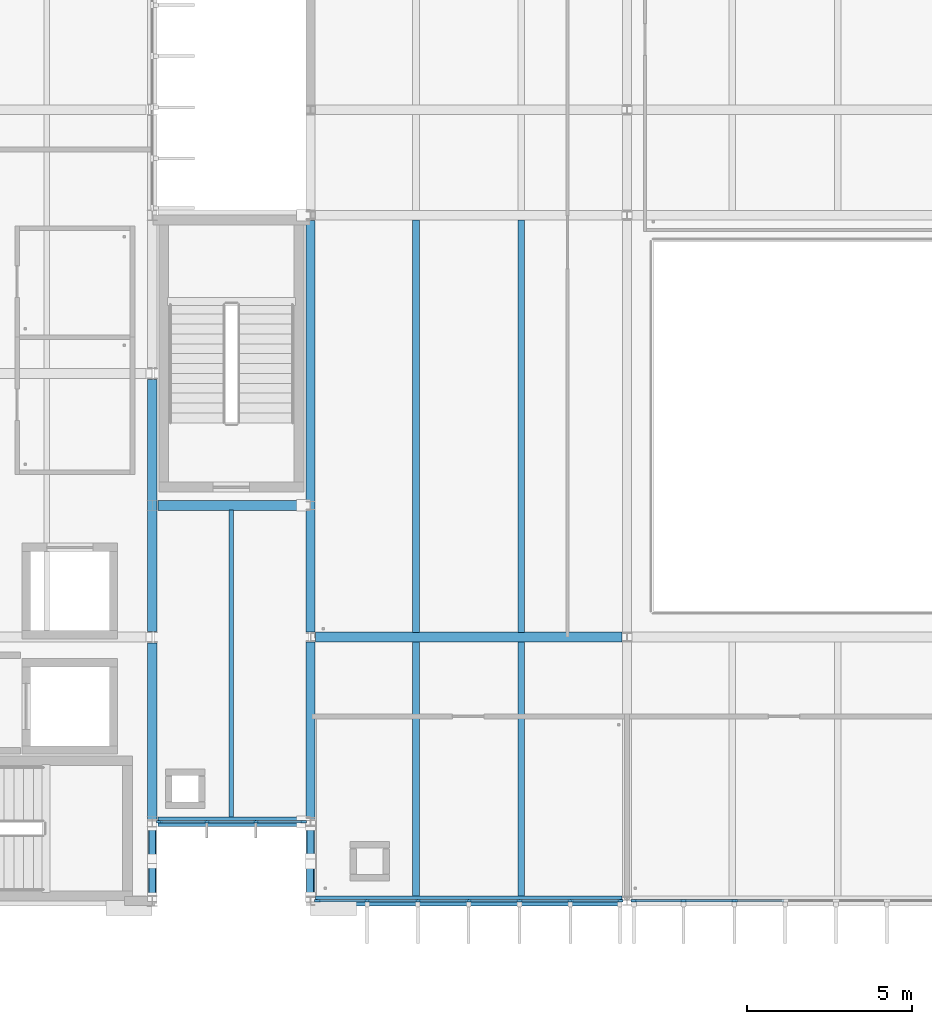
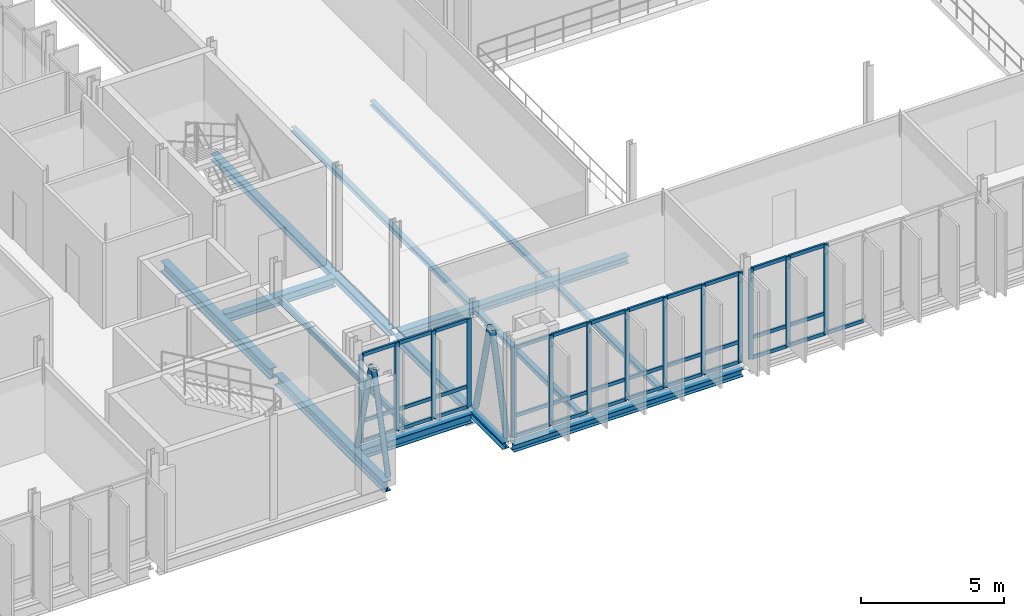
# One storey, part 20 of 93: 52 members, 13 beams, 3 elements without a shape of their own.
"""IFC4 building model written with IfcOpenShell, lengths in metres."""

import ifcopenshell
import ifcopenshell.guid

model = None  # the IFC model being written
_history = None  # IfcOwnerHistory: only IFC2X3 demands one
_inside = {}  # id of a spatial element -> (the spatial element, [elements in it])
_under = {}  # id of a project, library or spatial element -> (it, [spatial elements below it])
_declared = {}  # id of a project -> (the project, [libraries it declares])
_typed = {}  # id of a type object -> (the type object, [elements of that type])
_made_of = {}  # id of a material, layer set ... -> (it, [elements and type objects made of it])


def new_model(schema):
    """Start an empty IFC model of exactly this schema.

    Asked for "IFC4X3", IfcOpenShell would pick the latest addendum, in which some entities
    have other attributes; the version numbers below select the first issue.
    IFC2X3 requires an IfcOwnerHistory on every rooted entity: one is made here for all.
    """
    global model, _history
    if schema == "IFC4X3":
        model = ifcopenshell.file(schema_version=(4, 3, 0, 0))
    else:
        model = ifcopenshell.file(schema=schema)
    _inside.clear()
    _under.clear()
    _declared.clear()
    _typed.clear()
    _made_of.clear()
    _history = None
    if model.schema == "IFC2X3":
        org = make("IfcOrganization", Name="unknown")
        user = make(
            "IfcPersonAndOrganization",
            ThePerson=make("IfcPerson", FamilyName="unknown"),
            TheOrganization=org,
        )
        app = make(
            "IfcApplication",
            ApplicationDeveloper=org,
            Version="unknown",
            ApplicationFullName="unknown",
            ApplicationIdentifier="unknown",
        )
        _history = make(
            "IfcOwnerHistory",
            OwningUser=user,
            OwningApplication=app,
            ChangeAction="ADDED",
            CreationDate=0,
        )
    return model


def make(cls, **values):
    """One entity of the class cls with the attributes given. An attribute that is None is left unset."""
    return model.create_entity(
        cls, **{name: value for name, value in values.items() if value is not None}
    )


def rooted(cls, **values):
    """An entity with a GlobalId (a new one), such as an element, a storey or a relation."""
    return make(cls, GlobalId=ifcopenshell.guid.new(), OwnerHistory=_history, **values)


def si_unit(unit_type, name, prefix=None):
    """IfcSIUnit, for example si_unit("LENGTHUNIT", "METRE", prefix="MILLI")."""
    return make("IfcSIUnit", UnitType=unit_type, Prefix=prefix, Name=name)


def assignment(units):
    """IfcUnitAssignment: the units of a project."""
    return None if units is None else make("IfcUnitAssignment", Units=units)


def point(xyz):
    """IfcCartesianPoint."""
    return None if xyz is None else make("IfcCartesianPoint", Coordinates=xyz)


def direction(xyz):
    """IfcDirection."""
    return None if xyz is None else make("IfcDirection", DirectionRatios=xyz)


def frame(location, z_axis=None, x_axis=None):
    """IfcAxis2Placement3D, a coordinate frame: its origin and axes. An axis left out is left unset."""
    return make(
        "IfcAxis2Placement3D",
        Location=point(location),
        Axis=direction(z_axis),
        RefDirection=direction(x_axis),
    )


def frame_2d(location, x_axis=None):
    """IfcAxis2Placement2D, a coordinate frame in the plane: its origin and x axis."""
    return make(
        "IfcAxis2Placement2D", Location=point(location), RefDirection=direction(x_axis)
    )


def origin():
    """The frame at (0, 0, 0) with its axes left unset."""
    return frame((0.0, 0.0, 0.0))


def origin_2d():
    """The frame at (0, 0) in the plane with its x axis left unset."""
    return frame_2d((0.0, 0.0))


def place(relative_to, where):
    """IfcLocalPlacement: puts the frame where relative to a parent placement (None: the world)."""
    return make(
        "IfcLocalPlacement", PlacementRelTo=relative_to, RelativePlacement=where
    )


def context(
    kind, dimensions, precision=None, world=None, true_north=None, identifier=None
):
    """IfcGeometricRepresentationContext, for example the 3D "Model" context."""
    return make(
        "IfcGeometricRepresentationContext",
        ContextIdentifier=identifier,
        ContextType=kind,
        CoordinateSpaceDimension=dimensions,
        Precision=precision,
        WorldCoordinateSystem=world,
        TrueNorth=true_north,
    )


def subcontext(parent, identifier, kind, view, scale=None):
    """IfcGeometricRepresentationSubContext, for example "Body" below "Model"."""
    return make(
        "IfcGeometricRepresentationSubContext",
        ContextIdentifier=identifier,
        ContextType=kind,
        ParentContext=parent,
        TargetScale=scale,
        TargetView=view,
    )


def project(units=None, contexts=None):
    """IfcProject with its units and contexts."""
    return rooted(
        "IfcProject",
        Name="project",
        RepresentationContexts=contexts,
        UnitsInContext=assignment(units),
    )


def spatial(cls, under=None, at=None, **own):
    """A site, building, storey or space (cls), placed at a placement, below another one or the project."""
    s = rooted(cls, ObjectPlacement=at, **own)
    if under is not None:
        _under.setdefault(under.id(), (under, []))[1].append(s)
    return s


def profile(cls, at=None, kind="AREA", **sizes):
    """A parametric profile (cls). Its sizes go by their IFC names, for example OverallWidth=200.0."""
    return make(cls, ProfileType=kind, Position=at, **sizes)


def rectangle(**sizes):
    """IfcRectangleProfileDef."""
    return profile("IfcRectangleProfileDef", **sizes)


def hollow_circle(**sizes):
    """IfcCircleHollowProfileDef."""
    return profile("IfcCircleHollowProfileDef", **sizes)


def i_section(**sizes):
    """IfcIShapeProfileDef."""
    return profile("IfcIShapeProfileDef", **sizes)


def extrude(swept, where, along, depth):
    """IfcExtrudedAreaSolid: the profile swept, set in the frame where, extruded along a direction by depth."""
    return make(
        "IfcExtrudedAreaSolid",
        SweptArea=swept,
        Position=where,
        ExtrudedDirection=direction(along),
        Depth=depth,
    )


def shape(context_of_items, identifier, shape_type, items):
    """IfcShapeRepresentation: the items that make up one representation, for example the "Body"."""
    return make(
        "IfcShapeRepresentation",
        ContextOfItems=context_of_items,
        RepresentationIdentifier=identifier,
        RepresentationType=shape_type,
        Items=items,
    )


def material(Name=None, Category=None):
    """IfcMaterial."""
    return make("IfcMaterial", Name=Name, Category=Category)


def material_profile(
    of_material, cross_section, Name=None, Category=None, Priority=None
):
    """IfcMaterialProfile: a cross section and its material."""
    return make(
        "IfcMaterialProfile",
        Name=Name,
        Material=of_material,
        Profile=cross_section,
        Priority=Priority,
        Category=Category,
    )


def profile_set(profiles, Name=None, composite=None):
    """IfcMaterialProfileSet."""
    return make(
        "IfcMaterialProfileSet",
        Name=Name,
        MaterialProfiles=profiles,
        CompositeProfile=composite,
    )


def made_of(thing, what):
    """Note that an element or type object is made of a material, layer set ...; save() writes the relation."""
    if what is not None:
        _made_of.setdefault(what.id(), (what, []))[1].append(thing)
    return thing


def type_object(cls, material=None, **own):
    """A type object (cls), such as IfcWallType, which elements share."""
    return made_of(rooted(cls, **own), material)


def element(
    cls,
    number,
    at=None,
    inside=None,
    cuts=None,
    type_object=None,
    material=None,
    context=None,
    identifier="Body",
    shape_type=None,
    held_by="IfcProductDefinitionShape",
    body=None,
    shapes=None,
    **own,
):
    """One element of the class cls, such as IfcWall. Its Tag is "e" and its number.

    at: its placement. inside: the storey or other place that contains it. cuts: it is an
    opening in that element (IfcRelVoidsElement). A single representation is given by context,
    identifier, shape_type and body (its items); several are given by shapes. held_by: the class
    of the entity that holds the representations. save() writes the other relations.
    """
    e = rooted(cls, Tag="e%d" % number, ObjectPlacement=at, **own)
    if body is not None:
        shapes = [shape(context, identifier, shape_type, body)]
    if shapes is not None:
        e.Representation = make(held_by, Representations=shapes)
    if inside is not None:
        _inside.setdefault(inside.id(), (inside, []))[1].append(e)
    if cuts is not None:
        rooted(
            "IfcRelVoidsElement", RelatingBuildingElement=cuts, RelatedOpeningElement=e
        )
    if type_object is not None:
        _typed.setdefault(type_object.id(), (type_object, []))[1].append(e)
    return made_of(e, material)


def aggregate(whole, parts):
    """IfcRelAggregates: a whole, such as a stair, and the parts it consists of."""
    return rooted("IfcRelAggregates", RelatingObject=whole, RelatedObjects=parts)


def save(model, path):
    """Write the relations noted so far, then the file.

    IfcRelAggregates (storeys below a building ...), IfcRelContainedInSpatialStructure (elements
    in a storey), IfcRelDefinesByType, IfcRelAssociatesMaterial and IfcRelDeclares: one each for
    every whole, place, type object, material and project.
    """
    for whole, parts in _under.values():
        aggregate(whole, parts)
    for where, things in _inside.values():
        rooted(
            "IfcRelContainedInSpatialStructure",
            RelatedElements=things,
            RelatingStructure=where,
        )
    for kind, things in _typed.values():
        rooted("IfcRelDefinesByType", RelatedObjects=things, RelatingType=kind)
    for what, things in _made_of.values():
        rooted("IfcRelAssociatesMaterial", RelatedObjects=things, RelatingMaterial=what)
    for by, libraries in _declared.values():
        rooted("IfcRelDeclares", RelatingContext=by, RelatedDefinitions=libraries)
    model.write(path)


model = new_model("IFC4")

# Units and contexts
model_context = context("Model", 3, precision=1e-05, world=origin(), true_north=direction((0.0, 1.0)))
body_context = subcontext(model_context, "Body", "Model", "MODEL_VIEW")
ifc_project = project(units=[si_unit("LENGTHUNIT", "METRE"), si_unit("AREAUNIT", "SQUARE_METRE"), si_unit("VOLUMEUNIT", "CUBIC_METRE"), si_unit("PLANEANGLEUNIT", "RADIAN"), si_unit("MASSUNIT", "GRAM", prefix="KILO")], contexts=[model_context])

# Site, building, storey
site_placement = place(None, origin())
site = spatial("IfcSite", under=ifc_project, at=site_placement, CompositionType="ELEMENT")
building_placement = place(site_placement, origin())
building = spatial("IfcBuilding", under=site, at=building_placement, Name="Dunescarp Central Library", CompositionType="ELEMENT")
storey_placement = place(building_placement, frame((0.0, 0.0, 14.10009765625)))
storey = spatial("IfcBuildingStorey", under=building, at=storey_placement, Name="L03", CompositionType="ELEMENT", Elevation=14.10009765625)

# Curtain wall, members
ifc_material_1 = material(Name="Marine-grade anodised aluminium 6063-T6", Category="aluminium")
curtain_wall_type_1 = type_object("IfcCurtainWallType", Name="ARC-CW-STICK", PredefinedType="NOTDEFINED", material=ifc_material_1)
curtain_wall_1_placement = place(storey_placement, origin())
curtain_wall_1 = element("IfcCurtainWall", 1, at=curtain_wall_1_placement, inside=storey, type_object=curtain_wall_type_1, Name="L03 curtain wall CW-V2-061", PredefinedType="NOTDEFINED")
ifc_material_profile_1 = material_profile(ifc_material_1, rectangle(XDim=0.080078125, YDim=0.179931640625, at=origin_2d()), Name="AL 80x180")
ifc_profile_set_1 = profile_set([ifc_material_profile_1], Name="Marine-grade anodised aluminium 6063-T6")
member_type_1 = type_object("IfcMemberType", Name="ARC-CWM-180", PredefinedType="MULLION", material=ifc_profile_set_1)
member_1_placement = place(storey_placement, frame((47.784912109375, 4.800048828125, 0.0), z_axis=(0.0, 0.0, 1.0), x_axis=(0.0, -1.0, 0.0)))
member_1 = element("IfcMember", 2, at=member_1_placement, type_object=member_type_1, Name="CW-V2-061 mullion 1", PredefinedType="MULLION", context=body_context, shape_type="SweptSolid", body=[
    extrude(rectangle(XDim=0.080078125, YDim=0.179931640625, at=origin_2d()), origin(), (0.0, 0.0, 1.0), 3.86181640625),
])
member_2_placement = place(storey_placement, frame((46.283447265625, 4.800048828125, 0.0), z_axis=(0.0, 0.0, 1.0), x_axis=(0.0, -1.0, 0.0)))
member_2 = element("IfcMember", 3, at=member_2_placement, type_object=member_type_1, Name="CW-V2-061 mullion 2", PredefinedType="MULLION", context=body_context, shape_type="SweptSolid", body=[
    extrude(rectangle(XDim=0.080078125, YDim=0.179931640625, at=origin_2d()), origin(), (0.0, 0.0, 1.0), 3.86181640625),
])
member_3_placement = place(storey_placement, frame((44.74169921875, 4.800048828125, 0.0), z_axis=(0.0, 0.0, 1.0), x_axis=(0.0, -1.0, 0.0)))
member_3 = element("IfcMember", 4, at=member_3_placement, type_object=member_type_1, Name="CW-V2-061 mullion 3", PredefinedType="MULLION", context=body_context, shape_type="SweptSolid", body=[
    extrude(rectangle(XDim=0.080078125, YDim=0.179931640625, at=origin_2d()), origin(), (0.0, 0.0, 1.0), 3.86181640625),
])
member_4_placement = place(storey_placement, frame((43.199951171875, 4.800048828125, 0.0), z_axis=(0.0, 0.0, 1.0), x_axis=(0.0, -1.0, 0.0)))
member_4 = element("IfcMember", 5, at=member_4_placement, type_object=member_type_1, Name="CW-V2-061 mullion 4", PredefinedType="MULLION", context=body_context, shape_type="SweptSolid", body=[
    extrude(rectangle(XDim=0.080078125, YDim=0.179931640625, at=origin_2d()), origin(), (0.0, 0.0, 1.0), 3.86181640625),
])
member_5_placement = place(storey_placement, frame((41.658447265625, 4.800048828125, 0.0), z_axis=(0.0, 0.0, 1.0), x_axis=(0.0, -1.0, 0.0)))
member_5 = element("IfcMember", 6, at=member_5_placement, type_object=member_type_1, Name="CW-V2-061 mullion 5", PredefinedType="MULLION", context=body_context, shape_type="SweptSolid", body=[
    extrude(rectangle(XDim=0.080078125, YDim=0.179931640625, at=origin_2d()), origin(), (0.0, 0.0, 1.0), 3.86181640625),
])
member_6_placement = place(storey_placement, frame((40.11669921875, 4.800048828125, 0.0), z_axis=(0.0, 0.0, 1.0), x_axis=(0.0, -1.0, 0.0)))
member_6 = element("IfcMember", 7, at=member_6_placement, type_object=member_type_1, Name="CW-V2-061 mullion 6", PredefinedType="MULLION", context=body_context, shape_type="SweptSolid", body=[
    extrude(rectangle(XDim=0.080078125, YDim=0.179931640625, at=origin_2d()), origin(), (0.0, 0.0, 1.0), 3.86181640625),
])
member_7_placement = place(storey_placement, frame((38.614990234375, 4.800048828125, 0.0), z_axis=(0.0, 0.0, 1.0), x_axis=(0.0, -1.0, 0.0)))
member_7 = element("IfcMember", 8, at=member_7_placement, type_object=member_type_1, Name="CW-V2-061 mullion 7", PredefinedType="MULLION", context=body_context, shape_type="SweptSolid", body=[
    extrude(rectangle(XDim=0.080078125, YDim=0.179931640625, at=origin_2d()), origin(), (0.0, 0.0, 1.0), 3.86181640625),
])

curtain_wall_2_placement = place(storey_placement, origin())
curtain_wall_2 = element("IfcCurtainWall", 9, at=curtain_wall_2_placement, inside=storey, type_object=curtain_wall_type_1, Name="L03 curtain wall CW-V2-062", PredefinedType="NOTDEFINED")
member_8_placement = place(storey_placement, frame((51.25830078125, 4.800048828125, 0.0), z_axis=(0.0, 0.0, 1.0), x_axis=(0.0, -1.0, 0.0)))
member_8 = element("IfcMember", 10, at=member_8_placement, type_object=member_type_1, Name="CW-V2-062 mullion 5", PredefinedType="MULLION", context=body_context, shape_type="SweptSolid", body=[
    extrude(rectangle(XDim=0.080078125, YDim=0.179931640625, at=origin_2d()), origin(), (0.0, 0.0, 1.0), 3.86181640625),
])
member_9_placement = place(storey_placement, frame((49.716552734375, 4.800048828125, 0.0), z_axis=(0.0, 0.0, 1.0), x_axis=(0.0, -1.0, 0.0)))
member_9 = element("IfcMember", 11, at=member_9_placement, type_object=member_type_1, Name="CW-V2-062 mullion 6", PredefinedType="MULLION", context=body_context, shape_type="SweptSolid", body=[
    extrude(rectangle(XDim=0.080078125, YDim=0.179931640625, at=origin_2d()), origin(), (0.0, 0.0, 1.0), 3.86181640625),
])
member_10_placement = place(storey_placement, frame((48.215087890625, 4.800048828125, 0.0), z_axis=(0.0, 0.0, 1.0), x_axis=(0.0, -1.0, 0.0)))
member_10 = element("IfcMember", 12, at=member_10_placement, type_object=member_type_1, Name="CW-V2-062 mullion 7", PredefinedType="MULLION", context=body_context, shape_type="SweptSolid", body=[
    extrude(rectangle(XDim=0.080078125, YDim=0.179931640625, at=origin_2d()), origin(), (0.0, 0.0, 1.0), 3.86181640625),
])

curtain_wall_type_2 = type_object("IfcCurtainWallType", Name="ARC-CW-LINK", PredefinedType="USERDEFINED", material=ifc_material_1)
curtain_wall_3_placement = place(storey_placement, origin())
curtain_wall_3 = element("IfcCurtainWall", 13, at=curtain_wall_3_placement, inside=storey, type_object=curtain_wall_type_2, Name="L03 curtain wall CW-GL1-S-L03", ObjectType="GLAZED_LINK_WALL", PredefinedType="USERDEFINED")
member_11_placement = place(storey_placement, frame((38.18505859375, 7.199951171875, 0.0), z_axis=(0.0, 0.0, 1.0), x_axis=(0.0, -1.0, 0.0)))
member_11 = element("IfcMember", 14, at=member_11_placement, type_object=member_type_1, Name="CW-GL1-S-L03 mullion 1", PredefinedType="MULLION", context=body_context, shape_type="SweptSolid", body=[
    extrude(rectangle(XDim=0.080078125, YDim=0.179931640625, at=origin_2d()), origin(), (0.0, 0.0, 1.0), 3.77490234375),
])
member_12_placement = place(storey_placement, frame((36.74169921875, 7.199951171875, 0.0), z_axis=(0.0, 0.0, 1.0), x_axis=(0.0, -1.0, 0.0)))
member_12 = element("IfcMember", 15, at=member_12_placement, type_object=member_type_1, Name="CW-GL1-S-L03 mullion 2", PredefinedType="MULLION", context=body_context, shape_type="SweptSolid", body=[
    extrude(rectangle(XDim=0.080078125, YDim=0.179931640625, at=origin_2d()), origin(), (0.0, 0.0, 1.0), 3.77490234375),
])
member_13_placement = place(storey_placement, frame((35.25830078125, 7.199951171875, 0.0), z_axis=(0.0, 0.0, 1.0), x_axis=(0.0, -1.0, 0.0)))
member_13 = element("IfcMember", 16, at=member_13_placement, type_object=member_type_1, Name="CW-GL1-S-L03 mullion 3", PredefinedType="MULLION", context=body_context, shape_type="SweptSolid", body=[
    extrude(rectangle(XDim=0.080078125, YDim=0.179931640625, at=origin_2d()), origin(), (0.0, 0.0, 1.0), 3.77490234375),
])
member_14_placement = place(storey_placement, frame((33.81494140625, 7.199951171875, 0.0), z_axis=(0.0, 0.0, 1.0), x_axis=(0.0, -1.0, 0.0)))
member_14 = element("IfcMember", 17, at=member_14_placement, type_object=member_type_1, Name="CW-GL1-S-L03 mullion 4", PredefinedType="MULLION", context=body_context, shape_type="SweptSolid", body=[
    extrude(rectangle(XDim=0.080078125, YDim=0.179931640625, at=origin_2d()), origin(), (0.0, 0.0, 1.0), 3.77490234375),
])

# Member
ifc_material_profile_2 = material_profile(ifc_material_1, rectangle(XDim=0.080078125, YDim=0.14990234375, at=origin_2d()), Name="AL 80x150")
ifc_profile_set_2 = profile_set([ifc_material_profile_2], Name="Marine-grade anodised aluminium 6063-T6")
member_type_2 = type_object("IfcMemberType", Name="ARC-CWT-150", PredefinedType="USERDEFINED", material=ifc_profile_set_2)
member_15_placement = place(storey_placement, frame((47.7451171875, 4.800048828125, 0.039794921875), z_axis=(-1.0, 0.0, 0.0), x_axis=(0.0, -1.0, 0.0)))
member_15 = element("IfcMember", 18, at=member_15_placement, type_object=member_type_2, Name="CW-V2-061 transom 1.1", ObjectType="TRANSOM", PredefinedType="USERDEFINED", context=body_context, shape_type="SweptSolid", body=[
    extrude(rectangle(XDim=0.080078125, YDim=0.14990234375, at=origin_2d()), origin(), (0.0, 0.0, 1.0), 1.421875),
])

member_16_placement = place(storey_placement, frame((47.7451171875, 4.800048828125, 0.89990234375), z_axis=(-1.0, 0.0, 0.0), x_axis=(0.0, -1.0, 0.0)))
member_16 = element("IfcMember", 19, at=member_16_placement, type_object=member_type_2, Name="CW-V2-061 transom 1.2", ObjectType="TRANSOM", PredefinedType="USERDEFINED", context=body_context, shape_type="SweptSolid", body=[
    extrude(rectangle(XDim=0.080078125, YDim=0.14990234375, at=origin_2d()), origin(), (0.0, 0.0, 1.0), 1.421875),
])

member_17_placement = place(storey_placement, frame((47.7451171875, 4.800048828125, 3.822021484375), z_axis=(-1.0, 0.0, 0.0), x_axis=(0.0, -1.0, 0.0)))
member_17 = element("IfcMember", 20, at=member_17_placement, type_object=member_type_2, Name="CW-V2-061 transom 1.3", ObjectType="TRANSOM", PredefinedType="USERDEFINED", context=body_context, shape_type="SweptSolid", body=[
    extrude(rectangle(XDim=0.080078125, YDim=0.14990234375, at=origin_2d()), origin(), (0.0, 0.0, 1.0), 1.421875),
])

member_18_placement = place(storey_placement, frame((46.243408203125, 4.800048828125, 0.039794921875), z_axis=(-1.0, 0.0, 0.0), x_axis=(0.0, -1.0, 0.0)))
member_18 = element("IfcMember", 21, at=member_18_placement, type_object=member_type_2, Name="CW-V2-061 transom 2.1", ObjectType="TRANSOM", PredefinedType="USERDEFINED", context=body_context, shape_type="SweptSolid", body=[
    extrude(rectangle(XDim=0.080078125, YDim=0.14990234375, at=origin_2d()), origin(), (0.0, 0.0, 1.0), 1.461669921875),
])

member_19_placement = place(storey_placement, frame((46.243408203125, 4.800048828125, 0.89990234375), z_axis=(-1.0, 0.0, 0.0), x_axis=(0.0, -1.0, 0.0)))
member_19 = element("IfcMember", 22, at=member_19_placement, type_object=member_type_2, Name="CW-V2-061 transom 2.2", ObjectType="TRANSOM", PredefinedType="USERDEFINED", context=body_context, shape_type="SweptSolid", body=[
    extrude(rectangle(XDim=0.080078125, YDim=0.14990234375, at=origin_2d()), origin(), (0.0, 0.0, 1.0), 1.461669921875),
])

member_20_placement = place(storey_placement, frame((46.243408203125, 4.800048828125, 3.822021484375), z_axis=(-1.0, 0.0, 0.0), x_axis=(0.0, -1.0, 0.0)))
member_20 = element("IfcMember", 23, at=member_20_placement, type_object=member_type_2, Name="CW-V2-061 transom 2.3", ObjectType="TRANSOM", PredefinedType="USERDEFINED", context=body_context, shape_type="SweptSolid", body=[
    extrude(rectangle(XDim=0.080078125, YDim=0.14990234375, at=origin_2d()), origin(), (0.0, 0.0, 1.0), 1.461669921875),
])

member_21_placement = place(storey_placement, frame((44.70166015625, 4.800048828125, 0.039794921875), z_axis=(-1.0, 0.0, 0.0), x_axis=(0.0, -1.0, 0.0)))
member_21 = element("IfcMember", 24, at=member_21_placement, type_object=member_type_2, Name="CW-V2-061 transom 3.1", ObjectType="TRANSOM", PredefinedType="USERDEFINED", context=body_context, shape_type="SweptSolid", body=[
    extrude(rectangle(XDim=0.080078125, YDim=0.14990234375, at=origin_2d()), origin(), (0.0, 0.0, 1.0), 1.461669921875),
])

member_22_placement = place(storey_placement, frame((44.70166015625, 4.800048828125, 0.89990234375), z_axis=(-1.0, 0.0, 0.0), x_axis=(0.0, -1.0, 0.0)))
member_22 = element("IfcMember", 25, at=member_22_placement, type_object=member_type_2, Name="CW-V2-061 transom 3.2", ObjectType="TRANSOM", PredefinedType="USERDEFINED", context=body_context, shape_type="SweptSolid", body=[
    extrude(rectangle(XDim=0.080078125, YDim=0.14990234375, at=origin_2d()), origin(), (0.0, 0.0, 1.0), 1.461669921875),
])

member_23_placement = place(storey_placement, frame((44.70166015625, 4.800048828125, 3.822021484375), z_axis=(-1.0, 0.0, 0.0), x_axis=(0.0, -1.0, 0.0)))
member_23 = element("IfcMember", 26, at=member_23_placement, type_object=member_type_2, Name="CW-V2-061 transom 3.3", ObjectType="TRANSOM", PredefinedType="USERDEFINED", context=body_context, shape_type="SweptSolid", body=[
    extrude(rectangle(XDim=0.080078125, YDim=0.14990234375, at=origin_2d()), origin(), (0.0, 0.0, 1.0), 1.461669921875),
])

member_24_placement = place(storey_placement, frame((43.159912109375, 4.800048828125, 0.039794921875), z_axis=(-1.0, 0.0, 0.0), x_axis=(0.0, -1.0, 0.0)))
member_24 = element("IfcMember", 27, at=member_24_placement, type_object=member_type_2, Name="CW-V2-061 transom 4.1", ObjectType="TRANSOM", PredefinedType="USERDEFINED", context=body_context, shape_type="SweptSolid", body=[
    extrude(rectangle(XDim=0.080078125, YDim=0.14990234375, at=origin_2d()), origin(), (0.0, 0.0, 1.0), 1.461669921875),
])

member_25_placement = place(storey_placement, frame((43.159912109375, 4.800048828125, 0.89990234375), z_axis=(-1.0, 0.0, 0.0), x_axis=(0.0, -1.0, 0.0)))
member_25 = element("IfcMember", 28, at=member_25_placement, type_object=member_type_2, Name="CW-V2-061 transom 4.2", ObjectType="TRANSOM", PredefinedType="USERDEFINED", context=body_context, shape_type="SweptSolid", body=[
    extrude(rectangle(XDim=0.080078125, YDim=0.14990234375, at=origin_2d()), origin(), (0.0, 0.0, 1.0), 1.461669921875),
])

member_26_placement = place(storey_placement, frame((43.159912109375, 4.800048828125, 3.822021484375), z_axis=(-1.0, 0.0, 0.0), x_axis=(0.0, -1.0, 0.0)))
member_26 = element("IfcMember", 29, at=member_26_placement, type_object=member_type_2, Name="CW-V2-061 transom 4.3", ObjectType="TRANSOM", PredefinedType="USERDEFINED", context=body_context, shape_type="SweptSolid", body=[
    extrude(rectangle(XDim=0.080078125, YDim=0.14990234375, at=origin_2d()), origin(), (0.0, 0.0, 1.0), 1.461669921875),
])

member_27_placement = place(storey_placement, frame((41.618408203125, 4.800048828125, 0.039794921875), z_axis=(-1.0, 0.0, 0.0), x_axis=(0.0, -1.0, 0.0)))
member_27 = element("IfcMember", 30, at=member_27_placement, type_object=member_type_2, Name="CW-V2-061 transom 5.1", ObjectType="TRANSOM", PredefinedType="USERDEFINED", context=body_context, shape_type="SweptSolid", body=[
    extrude(rectangle(XDim=0.080078125, YDim=0.14990234375, at=origin_2d()), origin(), (0.0, 0.0, 1.0), 1.461669921875),
])

member_28_placement = place(storey_placement, frame((41.618408203125, 4.800048828125, 0.89990234375), z_axis=(-1.0, 0.0, 0.0), x_axis=(0.0, -1.0, 0.0)))
member_28 = element("IfcMember", 31, at=member_28_placement, type_object=member_type_2, Name="CW-V2-061 transom 5.2", ObjectType="TRANSOM", PredefinedType="USERDEFINED", context=body_context, shape_type="SweptSolid", body=[
    extrude(rectangle(XDim=0.080078125, YDim=0.14990234375, at=origin_2d()), origin(), (0.0, 0.0, 1.0), 1.461669921875),
])

member_29_placement = place(storey_placement, frame((41.618408203125, 4.800048828125, 3.822021484375), z_axis=(-1.0, 0.0, 0.0), x_axis=(0.0, -1.0, 0.0)))
member_29 = element("IfcMember", 32, at=member_29_placement, type_object=member_type_2, Name="CW-V2-061 transom 5.3", ObjectType="TRANSOM", PredefinedType="USERDEFINED", context=body_context, shape_type="SweptSolid", body=[
    extrude(rectangle(XDim=0.080078125, YDim=0.14990234375, at=origin_2d()), origin(), (0.0, 0.0, 1.0), 1.461669921875),
])

member_30_placement = place(storey_placement, frame((40.07666015625, 4.800048828125, 0.039794921875), z_axis=(-1.0, 0.0, 0.0), x_axis=(0.0, -1.0, 0.0)))
member_30 = element("IfcMember", 33, at=member_30_placement, type_object=member_type_2, Name="CW-V2-061 transom 6.1", ObjectType="TRANSOM", PredefinedType="USERDEFINED", context=body_context, shape_type="SweptSolid", body=[
    extrude(rectangle(XDim=0.080078125, YDim=0.14990234375, at=origin_2d()), origin(), (0.0, 0.0, 1.0), 1.421630859375),
])

member_31_placement = place(storey_placement, frame((40.07666015625, 4.800048828125, 0.89990234375), z_axis=(-1.0, 0.0, 0.0), x_axis=(0.0, -1.0, 0.0)))
member_31 = element("IfcMember", 34, at=member_31_placement, type_object=member_type_2, Name="CW-V2-061 transom 6.2", ObjectType="TRANSOM", PredefinedType="USERDEFINED", context=body_context, shape_type="SweptSolid", body=[
    extrude(rectangle(XDim=0.080078125, YDim=0.14990234375, at=origin_2d()), origin(), (0.0, 0.0, 1.0), 1.421630859375),
])

member_32_placement = place(storey_placement, frame((40.07666015625, 4.800048828125, 3.822021484375), z_axis=(-1.0, 0.0, 0.0), x_axis=(0.0, -1.0, 0.0)))
member_32 = element("IfcMember", 35, at=member_32_placement, type_object=member_type_2, Name="CW-V2-061 transom 6.3", ObjectType="TRANSOM", PredefinedType="USERDEFINED", context=body_context, shape_type="SweptSolid", body=[
    extrude(rectangle(XDim=0.080078125, YDim=0.14990234375, at=origin_2d()), origin(), (0.0, 0.0, 1.0), 1.421630859375),
])

aggregate(curtain_wall_1, [member_1, member_2, member_3, member_4, member_5, member_6, member_7, member_15, member_16, member_17, member_18, member_19, member_20, member_21, member_22, member_23, member_24, member_25, member_26, member_27, member_28, member_29, member_30, member_31, member_32])

member_33_placement = place(storey_placement, frame((52.760009765625, 4.800048828125, 0.039794921875), z_axis=(-1.0, 0.0, 0.0), x_axis=(0.0, -1.0, 0.0)))
member_33 = element("IfcMember", 36, at=member_33_placement, type_object=member_type_2, Name="CW-V2-062 transom 4.1", ObjectType="TRANSOM", PredefinedType="USERDEFINED", context=body_context, shape_type="SweptSolid", body=[
    extrude(rectangle(XDim=0.080078125, YDim=0.14990234375, at=origin_2d()), origin(), (0.0, 0.0, 1.0), 1.461669921875),
])

member_34_placement = place(storey_placement, frame((51.21826171875, 4.800048828125, 0.039794921875), z_axis=(-1.0, 0.0, 0.0), x_axis=(0.0, -1.0, 0.0)))
member_34 = element("IfcMember", 37, at=member_34_placement, type_object=member_type_2, Name="CW-V2-062 transom 5.1", ObjectType="TRANSOM", PredefinedType="USERDEFINED", context=body_context, shape_type="SweptSolid", body=[
    extrude(rectangle(XDim=0.080078125, YDim=0.14990234375, at=origin_2d()), origin(), (0.0, 0.0, 1.0), 1.461669921875),
])

member_35_placement = place(storey_placement, frame((51.21826171875, 4.800048828125, 0.89990234375), z_axis=(-1.0, 0.0, 0.0), x_axis=(0.0, -1.0, 0.0)))
member_35 = element("IfcMember", 38, at=member_35_placement, type_object=member_type_2, Name="CW-V2-062 transom 5.2", ObjectType="TRANSOM", PredefinedType="USERDEFINED", context=body_context, shape_type="SweptSolid", body=[
    extrude(rectangle(XDim=0.080078125, YDim=0.14990234375, at=origin_2d()), origin(), (0.0, 0.0, 1.0), 1.461669921875),
])

member_36_placement = place(storey_placement, frame((51.21826171875, 4.800048828125, 3.822021484375), z_axis=(-1.0, 0.0, 0.0), x_axis=(0.0, -1.0, 0.0)))
member_36 = element("IfcMember", 39, at=member_36_placement, type_object=member_type_2, Name="CW-V2-062 transom 5.3", ObjectType="TRANSOM", PredefinedType="USERDEFINED", context=body_context, shape_type="SweptSolid", body=[
    extrude(rectangle(XDim=0.080078125, YDim=0.14990234375, at=origin_2d()), origin(), (0.0, 0.0, 1.0), 1.461669921875),
])

member_37_placement = place(storey_placement, frame((49.6767578125, 4.800048828125, 0.039794921875), z_axis=(-1.0, 0.0, 0.0), x_axis=(0.0, -1.0, 0.0)))
member_37 = element("IfcMember", 40, at=member_37_placement, type_object=member_type_2, Name="CW-V2-062 transom 6.1", ObjectType="TRANSOM", PredefinedType="USERDEFINED", context=body_context, shape_type="SweptSolid", body=[
    extrude(rectangle(XDim=0.080078125, YDim=0.14990234375, at=origin_2d()), origin(), (0.0, 0.0, 1.0), 1.421875),
])

member_38_placement = place(storey_placement, frame((49.6767578125, 4.800048828125, 0.89990234375), z_axis=(-1.0, 0.0, 0.0), x_axis=(0.0, -1.0, 0.0)))
member_38 = element("IfcMember", 41, at=member_38_placement, type_object=member_type_2, Name="CW-V2-062 transom 6.2", ObjectType="TRANSOM", PredefinedType="USERDEFINED", context=body_context, shape_type="SweptSolid", body=[
    extrude(rectangle(XDim=0.080078125, YDim=0.14990234375, at=origin_2d()), origin(), (0.0, 0.0, 1.0), 1.421875),
])

member_39_placement = place(storey_placement, frame((49.6767578125, 4.800048828125, 3.822021484375), z_axis=(-1.0, 0.0, 0.0), x_axis=(0.0, -1.0, 0.0)))
member_39 = element("IfcMember", 42, at=member_39_placement, type_object=member_type_2, Name="CW-V2-062 transom 6.3", ObjectType="TRANSOM", PredefinedType="USERDEFINED", context=body_context, shape_type="SweptSolid", body=[
    extrude(rectangle(XDim=0.080078125, YDim=0.14990234375, at=origin_2d()), origin(), (0.0, 0.0, 1.0), 1.421875),
])

aggregate(curtain_wall_2, [member_8, member_9, member_10, member_33, member_34, member_35, member_36, member_37, member_38, member_39])

member_40_placement = place(storey_placement, frame((38.14501953125, 7.199951171875, 0.039794921875), z_axis=(-1.0, 0.0, 0.0), x_axis=(0.0, -1.0, 0.0)))
member_40 = element("IfcMember", 43, at=member_40_placement, type_object=member_type_2, Name="CW-GL1-S-L03 transom 1.1", ObjectType="TRANSOM", PredefinedType="USERDEFINED", context=body_context, shape_type="SweptSolid", body=[
    extrude(rectangle(XDim=0.080078125, YDim=0.14990234375, at=origin_2d()), origin(), (0.0, 0.0, 1.0), 1.36328125),
])

member_41_placement = place(storey_placement, frame((38.14501953125, 7.199951171875, 0.89990234375), z_axis=(-1.0, 0.0, 0.0), x_axis=(0.0, -1.0, 0.0)))
member_41 = element("IfcMember", 44, at=member_41_placement, type_object=member_type_2, Name="CW-GL1-S-L03 transom 1.2", ObjectType="TRANSOM", PredefinedType="USERDEFINED", context=body_context, shape_type="SweptSolid", body=[
    extrude(rectangle(XDim=0.080078125, YDim=0.14990234375, at=origin_2d()), origin(), (0.0, 0.0, 1.0), 1.36328125),
])

member_42_placement = place(storey_placement, frame((38.14501953125, 7.199951171875, 3.73486328125), z_axis=(-1.0, 0.0, 0.0), x_axis=(0.0, -1.0, 0.0)))
member_42 = element("IfcMember", 45, at=member_42_placement, type_object=member_type_2, Name="CW-GL1-S-L03 transom 1.3", ObjectType="TRANSOM", PredefinedType="USERDEFINED", context=body_context, shape_type="SweptSolid", body=[
    extrude(rectangle(XDim=0.080078125, YDim=0.14990234375, at=origin_2d()), origin(), (0.0, 0.0, 1.0), 1.36328125),
])

member_43_placement = place(storey_placement, frame((36.70166015625, 7.199951171875, 0.039794921875), z_axis=(-1.0, 0.0, 0.0), x_axis=(0.0, -1.0, 0.0)))
member_43 = element("IfcMember", 46, at=member_43_placement, type_object=member_type_2, Name="CW-GL1-S-L03 transom 2.1", ObjectType="TRANSOM", PredefinedType="USERDEFINED", context=body_context, shape_type="SweptSolid", body=[
    extrude(rectangle(XDim=0.080078125, YDim=0.14990234375, at=origin_2d()), origin(), (0.0, 0.0, 1.0), 1.4033203125),
])

member_44_placement = place(storey_placement, frame((36.70166015625, 7.199951171875, 0.89990234375), z_axis=(-1.0, 0.0, 0.0), x_axis=(0.0, -1.0, 0.0)))
member_44 = element("IfcMember", 47, at=member_44_placement, type_object=member_type_2, Name="CW-GL1-S-L03 transom 2.2", ObjectType="TRANSOM", PredefinedType="USERDEFINED", context=body_context, shape_type="SweptSolid", body=[
    extrude(rectangle(XDim=0.080078125, YDim=0.14990234375, at=origin_2d()), origin(), (0.0, 0.0, 1.0), 1.4033203125),
])

member_45_placement = place(storey_placement, frame((36.70166015625, 7.199951171875, 3.73486328125), z_axis=(-1.0, 0.0, 0.0), x_axis=(0.0, -1.0, 0.0)))
member_45 = element("IfcMember", 48, at=member_45_placement, type_object=member_type_2, Name="CW-GL1-S-L03 transom 2.3", ObjectType="TRANSOM", PredefinedType="USERDEFINED", context=body_context, shape_type="SweptSolid", body=[
    extrude(rectangle(XDim=0.080078125, YDim=0.14990234375, at=origin_2d()), origin(), (0.0, 0.0, 1.0), 1.4033203125),
])

member_46_placement = place(storey_placement, frame((35.21826171875, 7.199951171875, 0.039794921875), z_axis=(-1.0, 0.0, 0.0), x_axis=(0.0, -1.0, 0.0)))
member_46 = element("IfcMember", 49, at=member_46_placement, type_object=member_type_2, Name="CW-GL1-S-L03 transom 3.1", ObjectType="TRANSOM", PredefinedType="USERDEFINED", context=body_context, shape_type="SweptSolid", body=[
    extrude(rectangle(XDim=0.080078125, YDim=0.14990234375, at=origin_2d()), origin(), (0.0, 0.0, 1.0), 1.36328125),
])

member_47_placement = place(storey_placement, frame((35.21826171875, 7.199951171875, 0.89990234375), z_axis=(-1.0, 0.0, 0.0), x_axis=(0.0, -1.0, 0.0)))
member_47 = element("IfcMember", 50, at=member_47_placement, type_object=member_type_2, Name="CW-GL1-S-L03 transom 3.2", ObjectType="TRANSOM", PredefinedType="USERDEFINED", context=body_context, shape_type="SweptSolid", body=[
    extrude(rectangle(XDim=0.080078125, YDim=0.14990234375, at=origin_2d()), origin(), (0.0, 0.0, 1.0), 1.36328125),
])

member_48_placement = place(storey_placement, frame((35.21826171875, 7.199951171875, 3.73486328125), z_axis=(-1.0, 0.0, 0.0), x_axis=(0.0, -1.0, 0.0)))
member_48 = element("IfcMember", 51, at=member_48_placement, type_object=member_type_2, Name="CW-GL1-S-L03 transom 3.3", ObjectType="TRANSOM", PredefinedType="USERDEFINED", context=body_context, shape_type="SweptSolid", body=[
    extrude(rectangle(XDim=0.080078125, YDim=0.14990234375, at=origin_2d()), origin(), (0.0, 0.0, 1.0), 1.36328125),
])

aggregate(curtain_wall_3, [member_11, member_12, member_13, member_14, member_40, member_41, member_42, member_43, member_44, member_45, member_46, member_47, member_48])

# Beams
ifc_material_2 = material(Name="Steel S355JR", Category="steel")
ifc_material_profile_3 = material_profile(ifc_material_2, i_section(OverallWidth=0.300048828125, OverallDepth=0.31005859375, WebThickness=0.009033203125, FlangeThickness=0.015380859375, at=origin_2d()), Name="HEA 320")
ifc_profile_set_3 = profile_set([ifc_material_profile_3], Name="Steel S355JR")
beam_type_1 = type_object("IfcBeamType", Name="STR-BM-HEA320", PredefinedType="BEAM", material=ifc_profile_set_3)
for number, where, z_axis, x_axis, name in (
    (52, (38.551025390625, 4.800048828125, -0.39501953125), (1.0, 0.0, 0.0), (0.0, 1.0, 0.0), "L03 girder BM-L03-0471"),
    (53, (38.551025390625, 12.800048828125, -0.39501953125), (1.0, 0.0, 0.0), (0.0, 1.0, 0.0), "L03 girder BM-L03-0472"),
):
    element("IfcBeam", number, at=place(storey_placement, frame(where, z_axis=z_axis, x_axis=x_axis)), inside=storey, type_object=beam_type_1, Name=name, PredefinedType="BEAM", context=body_context, shape_type="SweptSolid", body=[
        extrude(i_section(OverallWidth=0.300048828125, OverallDepth=0.31005859375, WebThickness=0.009033203125, FlangeThickness=0.015380859375, at=origin_2d()), origin(), (0.0, 0.0, 1.0), 9.298095703125),
    ])
ifc_material_profile_4 = material_profile(ifc_material_2, i_section(OverallWidth=0.300048828125, OverallDepth=0.389892578125, WebThickness=0.010986328125, FlangeThickness=0.01904296875, at=origin_2d()), Name="HEA 400")
ifc_profile_set_4 = profile_set([ifc_material_profile_4], Name="Steel S355JR")
beam_type_2 = type_object("IfcBeamType", Name="STR-BM-HEA400", PredefinedType="BEAM", material=ifc_profile_set_4)
for number, where, z_axis, x_axis, name in (
    (54, (33.781982421875, 7.199951171875, -0.43505859375), (1.0, 0.0, 0.0), (0.0, 1.0, 0.0), "L03 girder BM-L03-1223"),
    (55, (33.781982421875, 16.800048828125, -0.43505859375), (1.0, 0.0, 0.0), (0.0, 1.0, 0.0), "L03 girder BM-L03-1224"),
):
    element("IfcBeam", number, at=place(storey_placement, frame(where, z_axis=z_axis, x_axis=x_axis)), inside=storey, type_object=beam_type_2, Name=name, PredefinedType="BEAM", context=body_context, shape_type="SweptSolid", body=[
        extrude(i_section(OverallWidth=0.300048828125, OverallDepth=0.389892578125, WebThickness=0.010986328125, FlangeThickness=0.01904296875, at=origin_2d()), origin(), (0.0, 0.0, 1.0), 4.489990234375),
    ])
ifc_material_profile_5 = material_profile(ifc_material_2, i_section(OverallWidth=0.280029296875, OverallDepth=0.280029296875, WebThickness=0.010498046875, FlangeThickness=0.01806640625, at=origin_2d()), Name="HEB 280")
ifc_profile_set_5 = profile_set([ifc_material_profile_5], Name="Steel S355JR")
beam_type_3 = type_object("IfcBeamType", Name="STR-BM-HEB280", PredefinedType="BEAM", material=ifc_profile_set_5)
beam_1_placement = place(storey_placement, frame((38.39990234375, 4.9541015625, -0.380126953125), z_axis=(0.0, 1.0, 0.0), x_axis=(-1.0, 0.0, 0.0)))
element("IfcBeam", 56, at=beam_1_placement, inside=storey, type_object=beam_type_3, Name="L03 girder BM-L03-0473", PredefinedType="BEAM", context=body_context, shape_type="SweptSolid", body=[
    extrude(i_section(OverallWidth=0.280029296875, OverallDepth=0.280029296875, WebThickness=0.010498046875, FlangeThickness=0.01806640625, at=origin_2d()), origin(), (0.0, 0.0, 1.0), 7.69189453125),
])
beam_2_placement = place(storey_placement, frame((38.39990234375, 12.9541015625, -0.380126953125), z_axis=(0.0, 1.0, 0.0), x_axis=(-1.0, 0.0, 0.0)))
element("IfcBeam", 57, at=beam_2_placement, inside=storey, type_object=beam_type_3, Name="L03 girder BM-L03-0478", PredefinedType="BEAM", context=body_context, shape_type="SweptSolid", body=[
    extrude(i_section(OverallWidth=0.280029296875, OverallDepth=0.280029296875, WebThickness=0.010498046875, FlangeThickness=0.01806640625, at=origin_2d()), origin(), (0.0, 0.0, 1.0), 12.491943359375),
])
ifc_material_profile_6 = material_profile(ifc_material_2, i_section(OverallWidth=0.300048828125, OverallDepth=0.449951171875, WebThickness=0.013916015625, FlangeThickness=0.02587890625, at=origin_2d()), Name="HEB 450")
ifc_profile_set_6 = profile_set([ifc_material_profile_6], Name="Steel S355JR")
beam_type_4 = type_object("IfcBeamType", Name="STR-BM-HEB450", PredefinedType="BEAM", material=ifc_profile_set_6)
for number, where, z_axis, x_axis, name in (
    (58, (33.60009765625, 4.97802734375, -0.465087890625), (0.0, 1.0, 0.0), (-1.0, 0.0, 0.0), "L03 girder BM-L03-0153"),
    (59, (33.60009765625, 12.97802734375, -0.465087890625), (0.0, 1.0, 0.0), (-1.0, 0.0, 0.0), "L03 girder BM-L03-0155"),
):
    element("IfcBeam", number, at=place(storey_placement, frame(where, z_axis=z_axis, x_axis=x_axis)), inside=storey, type_object=beam_type_4, Name=name, PredefinedType="BEAM", context=body_context, shape_type="SweptSolid", body=[
        extrude(i_section(OverallWidth=0.300048828125, OverallDepth=0.449951171875, WebThickness=0.013916015625, FlangeThickness=0.02587890625, at=origin_2d()), origin(), (0.0, 0.0, 1.0), 7.64404296875),
    ])

# Members
ifc_material_3 = material(Name="Steel S355J0", Category="steel")
ifc_material_profile_7 = material_profile(ifc_material_3, hollow_circle(Radius=0.109619140625, WallThickness=0.010009765625, at=origin_2d()), Name="CHS 219.1x10")
ifc_profile_set_7 = profile_set([ifc_material_profile_7], Name="Steel S355J0")
member_type_3 = type_object("IfcMemberType", Name="STR-BR-219", PredefinedType="BRACE", material=ifc_profile_set_7)
for number, where, z_axis, x_axis, name in (
    (60, (33.60009765625, 4.919921875, 0.0), (0.0, 0.241965696153, 0.970284804521), (-1.0, 0.0, 0.0), "L03 concentric brace BR-L03-007"),
    (61, (33.60009765625, 7.080078125, 0.0), (0.0, -0.241965696153, 0.970284804521), (1.0, 0.0, 0.0), "L03 concentric brace BR-L03-008"),
):
    element("IfcMember", number, at=place(storey_placement, frame(where, z_axis=z_axis, x_axis=x_axis)), inside=storey, type_object=member_type_3, Name=name, PredefinedType="BRACE", context=body_context, shape_type="SweptSolid", body=[
        extrude(hollow_circle(Radius=0.109619140625, WallThickness=0.010009765625, at=origin_2d()), origin(), (0.0, 0.0, 1.0), 4.1328125),
    ])
ifc_material_profile_8 = material_profile(ifc_material_3, hollow_circle(Radius=0.122314453125, WallThickness=0.010009765625, at=origin_2d()), Name="CHS 244.5x10")
ifc_profile_set_8 = profile_set([ifc_material_profile_8], Name="Steel S355J0")
member_type_4 = type_object("IfcMemberType", Name="STR-BR-244", PredefinedType="BRACE", material=ifc_profile_set_8)
for number, where, z_axis, x_axis, name in (
    (62, (38.39990234375, 4.919921875, 0.0), (0.0, 0.241965696153, 0.970284804521), (-1.0, 0.0, 0.0), "L03 concentric brace BR-L03-019"),
    (63, (38.39990234375, 7.080078125, 0.0), (0.0, -0.241965696153, 0.970284804521), (1.0, 0.0, 0.0), "L03 concentric brace BR-L03-020"),
):
    element("IfcMember", number, at=place(storey_placement, frame(where, z_axis=z_axis, x_axis=x_axis)), inside=storey, type_object=member_type_4, Name=name, PredefinedType="BRACE", context=body_context, shape_type="SweptSolid", body=[
        extrude(hollow_circle(Radius=0.122314453125, WallThickness=0.010009765625, at=origin_2d()), origin(), (0.0, 0.0, 1.0), 4.1328125),
    ])

# Beams
ifc_material_profile_9 = material_profile(ifc_material_2, i_section(OverallWidth=0.199951171875, OverallDepth=0.199951171875, WebThickness=0.009033203125, FlangeThickness=0.014892578125, at=origin_2d()), Name="HEB 200")
ifc_profile_set_9 = profile_set([ifc_material_profile_9], Name="Steel S355JR")
beam_type_5 = type_object("IfcBeamType", Name="STR-JS-HEB200", PredefinedType="JOIST", material=ifc_profile_set_9)
for number, where, z_axis, x_axis, name in (
    (64, (41.60009765625, 4.947998046875, -0.340087890625), (0.0, 1.0, 0.0), (-1.0, 0.0, 0.0), "L03 joist JS-L03-0475"),
    (65, (44.800048828125, 4.947998046875, -0.340087890625), (0.0, 1.0, 0.0), (-1.0, 0.0, 0.0), "L03 joist JS-L03-0476"),
):
    element("IfcBeam", number, at=place(storey_placement, frame(where, z_axis=z_axis, x_axis=x_axis)), inside=storey, type_object=beam_type_5, Name=name, PredefinedType="JOIST", context=body_context, shape_type="SweptSolid", body=[
        extrude(i_section(OverallWidth=0.199951171875, OverallDepth=0.199951171875, WebThickness=0.009033203125, FlangeThickness=0.014892578125, at=origin_2d()), origin(), (0.0, 0.0, 1.0), 7.7041015625),
    ])
for number, where, z_axis, x_axis, name in (
    (66, (41.60009765625, 12.947998046875, -0.340087890625), (0.0, 1.0, 0.0), (-1.0, 0.0, 0.0), "L03 joist JS-L03-0480"),
    (67, (44.800048828125, 12.947998046875, -0.340087890625), (0.0, 1.0, 0.0), (-1.0, 0.0, 0.0), "L03 joist JS-L03-0481"),
):
    element("IfcBeam", number, at=place(storey_placement, frame(where, z_axis=z_axis, x_axis=x_axis)), inside=storey, type_object=beam_type_5, Name=name, PredefinedType="JOIST", context=body_context, shape_type="SweptSolid", body=[
        extrude(i_section(OverallWidth=0.199951171875, OverallDepth=0.199951171875, WebThickness=0.009033203125, FlangeThickness=0.014892578125, at=origin_2d()), origin(), (0.0, 0.0, 1.0), 12.50390625),
    ])
ifc_material_profile_10 = material_profile(ifc_material_2, i_section(OverallWidth=0.135009765625, OverallDepth=0.27001953125, WebThickness=0.006591796875, FlangeThickness=0.01025390625, at=origin_2d()), Name="IPE 270")
ifc_profile_set_10 = profile_set([ifc_material_profile_10], Name="Steel S355JR")
beam_type_6 = type_object("IfcBeamType", Name="STR-JS-IPE270", PredefinedType="JOIST", material=ifc_profile_set_10)
beam_3_placement = place(storey_placement, frame((36.0, 7.347900390625, -0.375), z_axis=(0.0, 1.0, 0.0), x_axis=(-1.0, 0.0, 0.0)))
element("IfcBeam", 68, at=beam_3_placement, inside=storey, type_object=beam_type_6, Name="L03 joist JS-L03-1225", PredefinedType="JOIST", context=body_context, shape_type="SweptSolid", body=[
    extrude(i_section(OverallWidth=0.135009765625, OverallDepth=0.27001953125, WebThickness=0.006591796875, FlangeThickness=0.01025390625, at=origin_2d()), origin(), (0.0, 0.0, 1.0), 9.30419921875),
])

save(model, "model.ifc")
